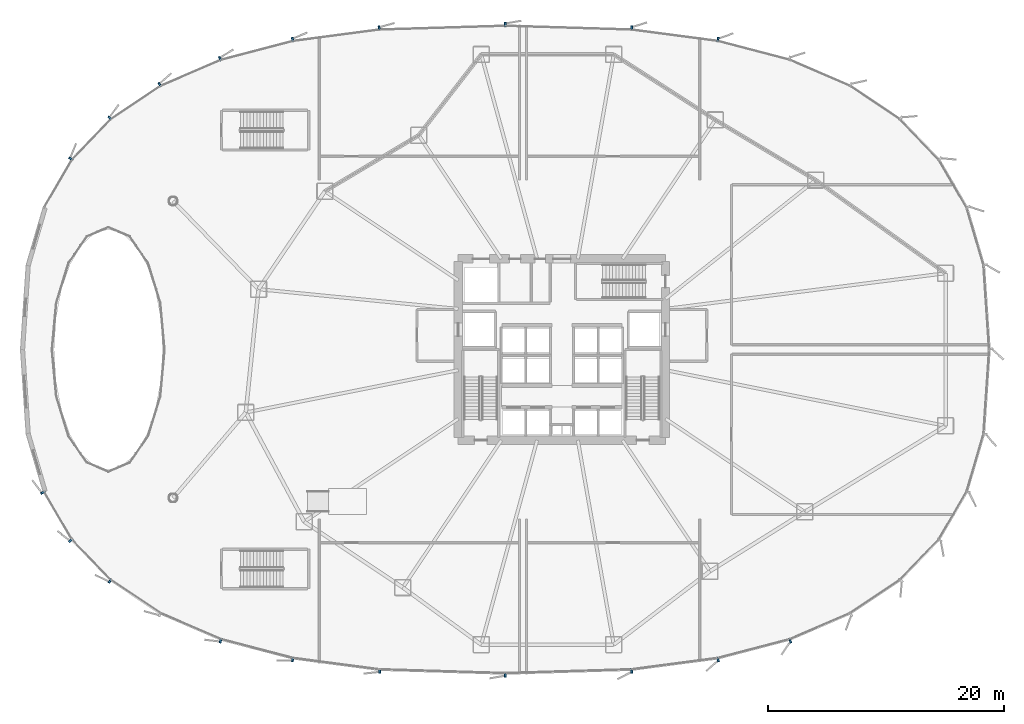
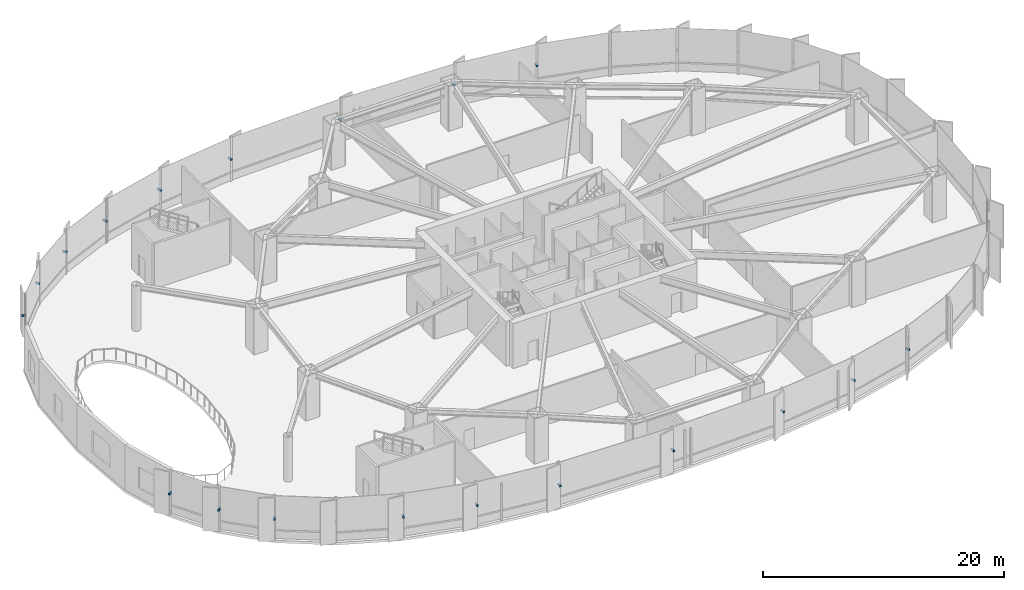
# One storey, part 27 of 34: 19 discrete accessories.
"""IFC4 building model written with IfcOpenShell, lengths in metres."""

import ifcopenshell
import ifcopenshell.guid

model = None  # the IFC model being written
_history = None  # IfcOwnerHistory: only IFC2X3 demands one
_inside = {}  # id of a spatial element -> (the spatial element, [elements in it])
_under = {}  # id of a project, library or spatial element -> (it, [spatial elements below it])
_declared = {}  # id of a project -> (the project, [libraries it declares])
_typed = {}  # id of a type object -> (the type object, [elements of that type])
_made_of = {}  # id of a material, layer set ... -> (it, [elements and type objects made of it])


def new_model(schema):
    """Start an empty IFC model of exactly this schema.

    Asked for "IFC4X3", IfcOpenShell would pick the latest addendum, in which some entities
    have other attributes; the version numbers below select the first issue.
    IFC2X3 requires an IfcOwnerHistory on every rooted entity: one is made here for all.
    """
    global model, _history
    if schema == "IFC4X3":
        model = ifcopenshell.file(schema_version=(4, 3, 0, 0))
    else:
        model = ifcopenshell.file(schema=schema)
    _inside.clear()
    _under.clear()
    _declared.clear()
    _typed.clear()
    _made_of.clear()
    _history = None
    if model.schema == "IFC2X3":
        org = make("IfcOrganization", Name="unknown")
        user = make(
            "IfcPersonAndOrganization",
            ThePerson=make("IfcPerson", FamilyName="unknown"),
            TheOrganization=org,
        )
        app = make(
            "IfcApplication",
            ApplicationDeveloper=org,
            Version="unknown",
            ApplicationFullName="unknown",
            ApplicationIdentifier="unknown",
        )
        _history = make(
            "IfcOwnerHistory",
            OwningUser=user,
            OwningApplication=app,
            ChangeAction="ADDED",
            CreationDate=0,
        )
    return model


def make(cls, **values):
    """One entity of the class cls with the attributes given. An attribute that is None is left unset."""
    return model.create_entity(
        cls, **{name: value for name, value in values.items() if value is not None}
    )


def rooted(cls, **values):
    """An entity with a GlobalId (a new one), such as an element, a storey or a relation."""
    return make(cls, GlobalId=ifcopenshell.guid.new(), OwnerHistory=_history, **values)


def si_unit(unit_type, name, prefix=None):
    """IfcSIUnit, for example si_unit("LENGTHUNIT", "METRE", prefix="MILLI")."""
    return make("IfcSIUnit", UnitType=unit_type, Prefix=prefix, Name=name)


def assignment(units):
    """IfcUnitAssignment: the units of a project."""
    return None if units is None else make("IfcUnitAssignment", Units=units)


def point(xyz):
    """IfcCartesianPoint."""
    return None if xyz is None else make("IfcCartesianPoint", Coordinates=xyz)


def direction(xyz):
    """IfcDirection."""
    return None if xyz is None else make("IfcDirection", DirectionRatios=xyz)


def frame(location, z_axis=None, x_axis=None):
    """IfcAxis2Placement3D, a coordinate frame: its origin and axes. An axis left out is left unset."""
    return make(
        "IfcAxis2Placement3D",
        Location=point(location),
        Axis=direction(z_axis),
        RefDirection=direction(x_axis),
    )


def frame_2d(location, x_axis=None):
    """IfcAxis2Placement2D, a coordinate frame in the plane: its origin and x axis."""
    return make(
        "IfcAxis2Placement2D", Location=point(location), RefDirection=direction(x_axis)
    )


def origin():
    """The frame at (0, 0, 0) with its axes left unset."""
    return frame((0.0, 0.0, 0.0))


def origin_2d():
    """The frame at (0, 0) in the plane with its x axis left unset."""
    return frame_2d((0.0, 0.0))


def place(relative_to, where):
    """IfcLocalPlacement: puts the frame where relative to a parent placement (None: the world)."""
    return make(
        "IfcLocalPlacement", PlacementRelTo=relative_to, RelativePlacement=where
    )


def context(
    kind, dimensions, precision=None, world=None, true_north=None, identifier=None
):
    """IfcGeometricRepresentationContext, for example the 3D "Model" context."""
    return make(
        "IfcGeometricRepresentationContext",
        ContextIdentifier=identifier,
        ContextType=kind,
        CoordinateSpaceDimension=dimensions,
        Precision=precision,
        WorldCoordinateSystem=world,
        TrueNorth=true_north,
    )


def subcontext(parent, identifier, kind, view, scale=None):
    """IfcGeometricRepresentationSubContext, for example "Body" below "Model"."""
    return make(
        "IfcGeometricRepresentationSubContext",
        ContextIdentifier=identifier,
        ContextType=kind,
        ParentContext=parent,
        TargetScale=scale,
        TargetView=view,
    )


def project(units=None, contexts=None):
    """IfcProject with its units and contexts."""
    return rooted(
        "IfcProject",
        Name="project",
        RepresentationContexts=contexts,
        UnitsInContext=assignment(units),
    )


def spatial(cls, under=None, at=None, **own):
    """A site, building, storey or space (cls), placed at a placement, below another one or the project."""
    s = rooted(cls, ObjectPlacement=at, **own)
    if under is not None:
        _under.setdefault(under.id(), (under, []))[1].append(s)
    return s


def profile(cls, at=None, kind="AREA", **sizes):
    """A parametric profile (cls). Its sizes go by their IFC names, for example OverallWidth=200.0."""
    return make(cls, ProfileType=kind, Position=at, **sizes)


def rectangle(**sizes):
    """IfcRectangleProfileDef."""
    return profile("IfcRectangleProfileDef", **sizes)


def extrude(swept, where, along, depth):
    """IfcExtrudedAreaSolid: the profile swept, set in the frame where, extruded along a direction by depth."""
    return make(
        "IfcExtrudedAreaSolid",
        SweptArea=swept,
        Position=where,
        ExtrudedDirection=direction(along),
        Depth=depth,
    )


def shape(context_of_items, identifier, shape_type, items):
    """IfcShapeRepresentation: the items that make up one representation, for example the "Body"."""
    return make(
        "IfcShapeRepresentation",
        ContextOfItems=context_of_items,
        RepresentationIdentifier=identifier,
        RepresentationType=shape_type,
        Items=items,
    )


def source(mapping_origin, context_of_items, identifier, shape_type, items):
    """IfcRepresentationMap: a shape defined once, which mapped items show again and again."""
    return make(
        "IfcRepresentationMap",
        MappingOrigin=mapping_origin,
        MappedRepresentation=shape(context_of_items, identifier, shape_type, items),
    )


def transform(
    local_origin,
    x_axis=None,
    y_axis=None,
    z_axis=None,
    scale=None,
    scale2=None,
    scale3=None,
    uniform=True,
):
    """IfcCartesianTransformationOperator3D, or its non-uniform kind. x_axis, y_axis, z_axis: its Axis1, 2, 3."""
    if uniform:
        return make(
            "IfcCartesianTransformationOperator3D",
            Axis1=direction(x_axis),
            Axis2=direction(y_axis),
            LocalOrigin=point(local_origin),
            Scale=scale,
            Axis3=direction(z_axis),
        )
    return make(
        "IfcCartesianTransformationOperator3DnonUniform",
        Axis1=direction(x_axis),
        Axis2=direction(y_axis),
        LocalOrigin=point(local_origin),
        Scale=scale,
        Axis3=direction(z_axis),
        Scale2=scale2,
        Scale3=scale3,
    )


def mapped(mapping_source, mapping_target):
    """IfcMappedItem: shows the shape of a source again, moved by a transform."""
    return make(
        "IfcMappedItem", MappingSource=mapping_source, MappingTarget=mapping_target
    )


def material(Name=None, Category=None):
    """IfcMaterial."""
    return make("IfcMaterial", Name=Name, Category=Category)


def made_of(thing, what):
    """Note that an element or type object is made of a material, layer set ...; save() writes the relation."""
    if what is not None:
        _made_of.setdefault(what.id(), (what, []))[1].append(thing)
    return thing


def type_object(cls, material=None, **own):
    """A type object (cls), such as IfcWallType, which elements share."""
    return made_of(rooted(cls, **own), material)


def element(
    cls,
    number,
    at=None,
    inside=None,
    cuts=None,
    type_object=None,
    material=None,
    context=None,
    identifier="Body",
    shape_type=None,
    held_by="IfcProductDefinitionShape",
    body=None,
    shapes=None,
    **own,
):
    """One element of the class cls, such as IfcWall. Its Tag is "e" and its number.

    at: its placement. inside: the storey or other place that contains it. cuts: it is an
    opening in that element (IfcRelVoidsElement). A single representation is given by context,
    identifier, shape_type and body (its items); several are given by shapes. held_by: the class
    of the entity that holds the representations. save() writes the other relations.
    """
    e = rooted(cls, Tag="e%d" % number, ObjectPlacement=at, **own)
    if body is not None:
        shapes = [shape(context, identifier, shape_type, body)]
    if shapes is not None:
        e.Representation = make(held_by, Representations=shapes)
    if inside is not None:
        _inside.setdefault(inside.id(), (inside, []))[1].append(e)
    if cuts is not None:
        rooted(
            "IfcRelVoidsElement", RelatingBuildingElement=cuts, RelatedOpeningElement=e
        )
    if type_object is not None:
        _typed.setdefault(type_object.id(), (type_object, []))[1].append(e)
    return made_of(e, material)


def aggregate(whole, parts):
    """IfcRelAggregates: a whole, such as a stair, and the parts it consists of."""
    return rooted("IfcRelAggregates", RelatingObject=whole, RelatedObjects=parts)


def save(model, path):
    """Write the relations noted so far, then the file.

    IfcRelAggregates (storeys below a building ...), IfcRelContainedInSpatialStructure (elements
    in a storey), IfcRelDefinesByType, IfcRelAssociatesMaterial and IfcRelDeclares: one each for
    every whole, place, type object, material and project.
    """
    for whole, parts in _under.values():
        aggregate(whole, parts)
    for where, things in _inside.values():
        rooted(
            "IfcRelContainedInSpatialStructure",
            RelatedElements=things,
            RelatingStructure=where,
        )
    for kind, things in _typed.values():
        rooted("IfcRelDefinesByType", RelatedObjects=things, RelatingType=kind)
    for what, things in _made_of.values():
        rooted("IfcRelAssociatesMaterial", RelatedObjects=things, RelatingMaterial=what)
    for by, libraries in _declared.values():
        rooted("IfcRelDeclares", RelatingContext=by, RelatedDefinitions=libraries)
    model.write(path)


model = new_model("IFC4")

# Units and contexts
model_context = context("Model", 3, precision=1e-05, world=origin(), true_north=direction((0.0, 1.0)))
body_context = subcontext(model_context, "Body", "Model", "MODEL_VIEW")
ifc_project = project(units=[si_unit("LENGTHUNIT", "METRE"), si_unit("AREAUNIT", "SQUARE_METRE"), si_unit("VOLUMEUNIT", "CUBIC_METRE"), si_unit("PLANEANGLEUNIT", "RADIAN"), si_unit("MASSUNIT", "GRAM", prefix="KILO"), si_unit("THERMODYNAMICTEMPERATUREUNIT", "KELVIN")], contexts=[model_context])

# Site, building, storey
site_placement = place(None, origin())
site = spatial("IfcSite", under=ifc_project, at=site_placement, CompositionType="ELEMENT")
building_placement = place(site_placement, origin())
building = spatial("IfcBuilding", under=site, at=building_placement, Name="Kethvar Cultural Tower", CompositionType="ELEMENT")
storey_placement = place(building_placement, frame((0.0, 0.0, 5.199951171875)))
storey = spatial("IfcBuildingStorey", under=building, at=storey_placement, Name="L01", CompositionType="ELEMENT", Elevation=5.199951171875)

# Discrete accessories
ifc_material = material(Name="Steel S355J2", Category="steel")
discrete_accessory_type = type_object("IfcDiscreteAccessoryType", Name="Steel Fin Bracket BRK-01", PredefinedType="BRACKET", material=ifc_material)
shared_shape = source(origin(), body_context, "Body", "SweptSolid", [
    extrude(rectangle(XDim=0.3798828125, YDim=0.159912109375, at=origin_2d()), origin(), (0.0, 0.0, 1.0), 0.179931640625),
])
for number, where, z_axis, x_axis, name in (
    (1, (60.05126953125, 54.120361328125, 2.1298828125), (0.0, 0.0, 1.0), (0.130699230003, 0.991422065155, 0.0), "L01 Terracotta Fin Bracket 2.2"),
    (2, (52.71630859375, 55.0869140625, 2.1298828125), (0.0, 0.0, 1.0), (0.030189608314, 0.999544189894, 0.0), "L01 Terracotta Fin Bracket 2.3"),
    (3, (41.999755859375, 55.409912109375, 2.1298828125), (0.0, 0.0, 1.0), (-0.030189608314, 0.999544189894, 0.0), "L01 Terracotta Fin Bracket 2.4"),
    (4, (31.28271484375, 55.0869140625, 2.1298828125), (0.0, 0.0, 1.0), (-0.130699230003, 0.991422065155, 0.0), "L01 Terracotta Fin Bracket 2.5"),
    (5, (23.947509765625, 54.1201171875, 2.1298828125), (0.0, 0.0, 1.0), (-0.253082602519, 0.96744467351, 0.0), "L01 Terracotta Fin Bracket 2.6"),
    (6, (17.778076171875, 52.498779296875, 2.1298828125), (0.0, 0.0, 1.0), (-0.396346847517, 0.9181008531, 0.0), "L01 Terracotta Fin Bracket 3.1"),
    (7, (12.668212890625, 50.292236328125, 2.1298828125), (0.0, 0.0, 1.0), (-0.556585649903, 0.83079023485, 0.0), "L01 Terracotta Fin Bracket 3.2"),
    (8, (8.4296875, 47.452880859375, 2.1298828125), (0.0, 0.0, 1.0), (-0.72055111168, 0.693401828276, 0.0), "L01 Terracotta Fin Bracket 3.3"),
    (9, (5.106689453125, 43.998779296875, 2.1298828125), (0.0, 0.0, 1.0), (-0.864011302865, 0.503472410885, 0.0), "L01 Terracotta Fin Bracket 3.4"),
    (10, (2.74072265625, 15.6611328125, 2.1298828125), (0.0, 0.0, 1.0), (-0.864011302865, -0.503472410885, 0.0), "L01 Terracotta Fin Bracket 4.1"),
    (11, (5.1083984375, 11.59912109375, 2.1298828125), (0.0, 0.0, 1.0), (-0.72055111168, -0.693401828276, 0.0), "L01 Terracotta Fin Bracket 4.2"),
    (12, (8.431396484375, 8.14599609375, 2.1298828125), (0.0, 0.0, 1.0), (-0.556585649903, -0.83079023485, 0.0), "L01 Terracotta Fin Bracket 4.3"),
    (13, (17.82421875, 3.081298828125, 2.1298828125), (0.0, 0.0, 1.0), (-0.253082602519, -0.96744467351, 0.0), "L01 Terracotta Fin Bracket 4.5"),
    (14, (23.94873046875, 1.4794921875, 2.1298828125), (0.0, 0.0, 1.0), (-0.130699230003, -0.991422065155, 0.0), "L01 Terracotta Fin Bracket 4.6"),
    (15, (31.33251953125, 0.51171875, 2.1298828125), (0.0, 0.0, 1.0), (-0.030189608314, -0.999544189894, 0.0), "L01 Terracotta Fin Bracket 5.1"),
    (16, (42.000244140625, 0.18994140625, 2.1298828125), (0.0, 0.0, 1.0), (0.030189608314, -0.999544189894, 0.0), "L01 Terracotta Fin Bracket 5.2"),
    (17, (52.71728515625, 0.51318359375, 2.1298828125), (0.0, 0.0, 1.0), (0.130699230003, -0.991422065155, 0.0), "L01 Terracotta Fin Bracket 5.3"),
    (18, (60.052490234375, 1.47998046875, 2.1298828125), (0.0, 0.0, 1.0), (0.253082602519, -0.96744467351, 0.0), "L01 Terracotta Fin Bracket 5.4"),
    (19, (66.17724609375, 3.081787109375, 2.1298828125), (0.0, 0.0, 1.0), (0.396346847517, -0.9181008531, 0.0), "L01 Terracotta Fin Bracket 5.5"),
):
    element("IfcDiscreteAccessory", number, at=place(storey_placement, frame(where, z_axis=z_axis, x_axis=x_axis)), inside=storey, type_object=discrete_accessory_type, Name=name, PredefinedType="BRACKET", context=body_context, shape_type="MappedRepresentation", body=[
        mapped(shared_shape, transform((0.0, 0.0, 0.0), scale=1.0)),
    ])

save(model, "model.ifc")
